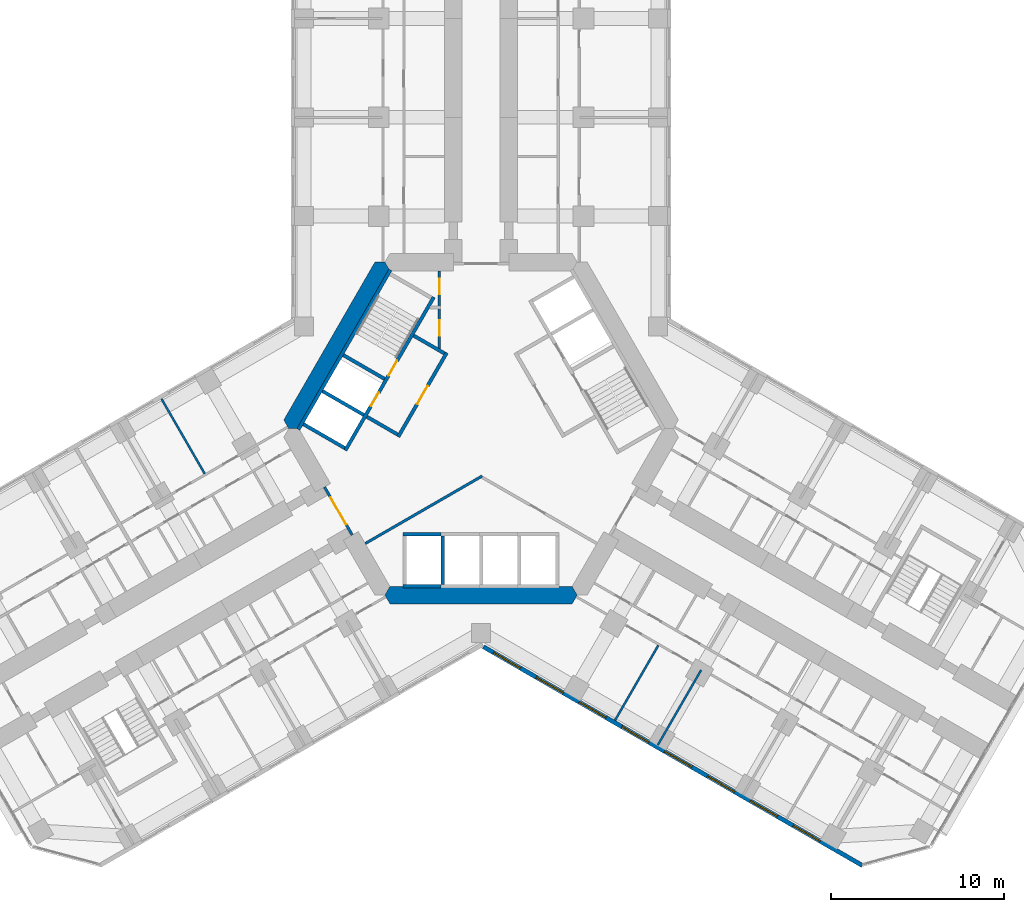
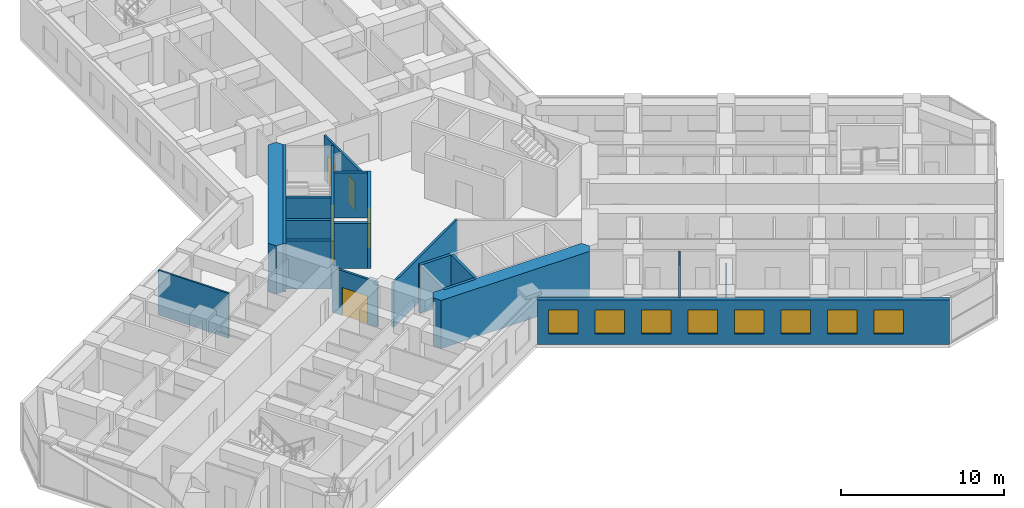
# One storey, part 11 of 18: 20 walls, 8 windows, 6 doors, 14 openings.
"""IFC4 building model written with IfcOpenShell, lengths in metres."""

from ifc_helpers import new_model, si_unit, direction, frame, frame_2d, origin, place, context, subcontext, project, spatial, polyline, rectangle, outline, extrude, material, layer, layer_set, type_object, element, fill, save


model = new_model("IFC4")

# Units and contexts
model_context = context("Model", 3, precision=1e-05, world=origin(), true_north=direction((0.0, 1.0)))
body_context = subcontext(model_context, "Body", "Model", "MODEL_VIEW")
ifc_project = project(units=[si_unit("LENGTHUNIT", "METRE"), si_unit("AREAUNIT", "SQUARE_METRE"), si_unit("VOLUMEUNIT", "CUBIC_METRE"), si_unit("PLANEANGLEUNIT", "RADIAN"), si_unit("MASSUNIT", "GRAM", prefix="KILO")], contexts=[model_context])

# Site, building, storey
site_placement = place(None, origin())
site = spatial("IfcSite", under=ifc_project, at=site_placement, CompositionType="ELEMENT")
building_placement = place(site_placement, origin())
building = spatial("IfcBuilding", under=site, at=building_placement, Name="Kosmar Iwan School Tower", CompositionType="ELEMENT")
storey_placement = place(building_placement, frame((0.0, 0.0, 25.199951171875)))
storey = spatial("IfcBuildingStorey", under=building, at=storey_placement, Name="L05", CompositionType="ELEMENT", Elevation=25.199951171875)

# Wall, openings, doors
ifc_material_1 = material(Name="Gypsum board on steel studs, fire-rated", Category="steel")
ifc_layer_1 = layer(ifc_material_1, 0.14990234375)
ifc_layer_set_1 = layer_set([ifc_layer_1], Name="Core room partition 150")
wall_type_1 = type_object("IfcWallType", Name="Core room partition 150", PredefinedType="PARTITIONING", material=ifc_layer_set_1)
wall_1_placement = place(storey_placement, frame((-2.39990234375, 9.094970703125, 0.0), z_axis=(0.0, 0.0, 1.0), x_axis=(0.0, -1.0, 0.0)))
wall_1 = element("IfcWall", 1, at=wall_1_placement, inside=storey, type_object=wall_type_1, Name="Core room partition L05-CW1", PredefinedType="PARTITIONING", context=body_context, shape_type="SweptSolid", body=[
    extrude(rectangle(XDim=4.564208984375, YDim=0.14990234375, at=frame_2d((2.2822265625, 0.0))), origin(), (0.0, 0.0, 1.0), 3.35009765625),
])
opening_1_placement = place(wall_1_placement, frame((0.455078125, 0.0, 0.0)))
opening_1 = element("IfcOpeningElement", 2, at=opening_1_placement, cuts=wall_1, Name="Opening D14", PredefinedType="OPENING", context=body_context, shape_type="SweptSolid", body=[
    extrude(rectangle(XDim=0.89990234375, YDim=2.10009765625, at=frame_2d((0.449951171875, 1.050048828125))), frame((0.0, 0.0869140625, 0.0), z_axis=(0.0, -1.0, 0.0), x_axis=(1.0, 0.0, 0.0)), (0.0, 0.0, 1.0), 0.173828125),
])
opening_2_placement = place(wall_1_placement, frame((2.85498046875, 0.0, 0.0)))
opening_2 = element("IfcOpeningElement", 3, at=opening_2_placement, cuts=wall_1, Name="Opening D14", PredefinedType="OPENING", context=body_context, shape_type="SweptSolid", body=[
    extrude(rectangle(XDim=0.89990234375, YDim=2.10009765625, at=frame_2d((0.449951171875, 1.050048828125))), frame((0.0, 0.0869140625, 0.0), z_axis=(0.0, -1.0, 0.0), x_axis=(1.0, 0.0, 0.0)), (0.0, 0.0, 1.0), 0.173828125),
])
ifc_material_2 = material(Name="Timber fire door in steel frame", Category="steel")
door_type_1 = type_object("IfcDoorType", Name="Core room door 900x2100", OperationType="SINGLE_SWING_LEFT", PredefinedType="DOOR", material=ifc_material_2)
door_1_placement = place(opening_1_placement, origin())
door_1 = element("IfcDoor", 4, at=door_1_placement, inside=storey, type_object=door_type_1, Name="Electrical riser and switch room door L05 1", OperationType="SINGLE_SWING_LEFT", OverallHeight=2.10009765625, OverallWidth=0.89990234375, PredefinedType="DOOR", context=body_context, shape_type="SweptSolid", body=[
    extrude(rectangle(XDim=0.89990234375, YDim=2.10009765625, at=frame_2d((0.449951171875, 1.050048828125))), frame((0.0, 0.02490234375, 0.0), z_axis=(0.0, -1.0, 0.0), x_axis=(1.0, 0.0, 0.0)), (0.0, 0.0, 1.0), 0.050048828125),
])
fill(opening_1, door_1)
door_2_placement = place(opening_2_placement, origin())
door_2 = element("IfcDoor", 5, at=door_2_placement, inside=storey, type_object=door_type_1, Name="Plumbing and wet riser door L05 2", OperationType="SINGLE_SWING_RIGHT", OverallHeight=2.10009765625, OverallWidth=0.89990234375, PredefinedType="DOOR", context=body_context, shape_type="SweptSolid", body=[
    extrude(rectangle(XDim=0.89990234375, YDim=2.10009765625, at=frame_2d((0.449951171875, 1.050048828125))), frame((0.0, 0.02490234375, 0.0), z_axis=(0.0, -1.0, 0.0), x_axis=(1.0, 0.0, 0.0)), (0.0, 0.0, 1.0), 0.050048828125),
])
fill(opening_2, door_2)

# Walls
wall_2_placement = place(storey_placement, frame((-6.676513671875, -6.6259765625, 0.0), z_axis=(0.0, 0.0, 1.0), x_axis=(0.866030469089, 0.499991226532, 0.0)))
element("IfcWall", 6, at=wall_2_placement, inside=storey, type_object=wall_type_1, Name="Core room partition L05-CW5", PredefinedType="PARTITIONING", context=body_context, shape_type="SweptSolid", body=[
    extrude(rectangle(XDim=7.784423828125, YDim=0.14990234375, at=frame_2d((3.89208984375, 0.0))), origin(), (0.0, 0.0, 1.0), 3.35009765625),
])
ifc_material_3 = material(Name="Concrete C50/60", Category="concrete")
ifc_layer_2 = layer(ifc_material_3, 1.0)
ifc_layer_set_2 = layer_set([ifc_layer_2], Name="Core wall 1000")
wall_type_2 = type_object("IfcWallType", Name="Core wall 1000", PredefinedType="SHEAR", material=ifc_layer_set_2)
wall_3_placement = place(storey_placement, origin())
element("IfcWall", 7, at=wall_3_placement, inside=storey, type_object=wall_type_2, Name="Core wall F150", PredefinedType="SHEAR", context=body_context, shape_type="SweptSolid", body=[
    extrude(outline(polyline([(-11.085205078125, 0.0), (-10.5078125, 0.0), (-5.25390625, 9.10009765625), (-5.54248046875, 9.60009765625), (-6.119873046875, 9.60009765625), (-11.373779296875, 0.5), (-11.085205078125, 0.0)])), origin(), (0.0, 0.0, 1.0), 3.60009765625),
])
wall_4_placement = place(storey_placement, origin())
element("IfcWall", 8, at=wall_4_placement, inside=storey, type_object=wall_type_2, Name="Core wall F270", PredefinedType="SHEAR", context=body_context, shape_type="SweptSolid", body=[
    extrude(outline(polyline([(-5.25390625, -10.10009765625), (5.25390625, -10.10009765625), (5.54248046875, -9.60009765625), (5.25390625, -9.10009765625), (-5.25390625, -9.10009765625), (-5.54248046875, -9.60009765625), (-5.25390625, -10.10009765625)])), origin(), (0.0, 0.0, 1.0), 3.60009765625),
])

# Wall, opening, door
ifc_material_4 = material(Name="Steel framed glazed screen", Category="steel")
ifc_layer_3 = layer(ifc_material_4, 0.14990234375)
ifc_layer_set_3 = layer_set([ifc_layer_3], Name="Corridor screen wall 150")
wall_type_3 = type_object("IfcWallType", Name="Corridor screen wall 150", PredefinedType="PARTITIONING", material=ifc_layer_set_3)
wall_5_placement = place(storey_placement, frame((-9.02734375, -3.3642578125, 0.0), z_axis=(0.0, 0.0, 1.0), x_axis=(0.499995408039, -0.866028054938, 0.0)))
wall_5 = element("IfcWall", 9, at=wall_5_placement, inside=storey, type_object=wall_type_3, Name="Corridor screen B L05", PredefinedType="PARTITIONING", context=body_context, shape_type="SweptSolid", body=[
    extrude(rectangle(XDim=3.2001953125, YDim=0.14990234375, at=frame_2d((1.60009765625, 0.0))), origin(), (0.0, 0.0, 1.0), 3.35009765625),
])
opening_3_placement = place(wall_5_placement, frame((0.699951171875, 0.0, 0.0)))
opening_3 = element("IfcOpeningElement", 10, at=opening_3_placement, cuts=wall_5, Name="Opening D9", PredefinedType="OPENING", context=body_context, shape_type="SweptSolid", body=[
    extrude(rectangle(XDim=1.800048828125, YDim=2.10009765625, at=frame_2d((0.89990234375, 1.050048828125))), frame((0.0, 0.0869140625, 0.0), z_axis=(0.0, -1.0, 0.0), x_axis=(1.0, 0.0, 0.0)), (0.0, 0.0, 1.0), 0.173828125),
])
ifc_material_5 = material(Name="Steel framed glazed smoke door", Category="steel")
door_type_2 = type_object("IfcDoorType", Name="Corridor smoke door pair 1800x2100", OperationType="DOUBLE_DOOR_DOUBLE_SWING", PredefinedType="DOOR", material=ifc_material_5)
door_3_placement = place(opening_3_placement, origin())
door_3 = element("IfcDoor", 11, at=door_3_placement, inside=storey, type_object=door_type_2, Name="Corridor doors B L05", OperationType="DOUBLE_DOOR_DOUBLE_SWING", OverallHeight=2.10009765625, OverallWidth=1.800048828125, PredefinedType="DOOR", context=body_context, shape_type="SweptSolid", body=[
    extrude(rectangle(XDim=1.800048828125, YDim=2.10009765625, at=frame_2d((0.89990234375, 1.050048828125))), frame((0.0, 0.02490234375, 0.0), z_axis=(0.0, -1.0, 0.0), x_axis=(1.0, 0.0, 0.0)), (0.0, 0.0, 1.0), 0.050048828125),
])
fill(opening_3, door_3)

# Walls
ifc_material_6 = material(Name="Gypsum board on steel studs", Category="steel")
ifc_layer_4 = layer(ifc_material_6, 0.1201171875)
ifc_layer_set_4 = layer_set([ifc_layer_4], Name="Dwelling partition 120")
wall_type_4 = type_object("IfcWallType", Name="Dwelling partition 120", PredefinedType="PARTITIONING", material=ifc_layer_set_4)
wall_6_placement = place(storey_placement, frame((-15.931884765625, -2.60498046875, 0.0), z_axis=(0.0, 0.0, 1.0), x_axis=(-0.500011847778, 0.866018563358, 0.0)))
element("IfcWall", 12, at=wall_6_placement, inside=storey, type_object=wall_type_4, Name="Partition L05-BR1-X1", PredefinedType="PARTITIONING", context=body_context, shape_type="SweptSolid", body=[
    extrude(rectangle(XDim=4.990234375, YDim=0.1201171875, at=frame_2d((2.4951171875, 0.0))), origin(), (0.0, 0.0, 1.0), 3.35009765625),
])
wall_7_placement = place(storey_placement, frame((10.221923828125, -12.4951171875, 0.0), z_axis=(0.0, 0.0, 1.0), x_axis=(-0.499996339024, -0.86602751744, 0.0)))
element("IfcWall", 13, at=wall_7_placement, inside=storey, type_object=wall_type_4, Name="Partition L05-CR1-X1", PredefinedType="PARTITIONING", context=body_context, shape_type="SweptSolid", body=[
    extrude(rectangle(XDim=4.98974609375, YDim=0.1201171875, at=frame_2d((2.494873046875, 0.0))), origin(), (0.0, 0.0, 1.0), 3.35009765625),
])
wall_8_placement = place(storey_placement, frame((12.690185546875, -13.919921875, 0.0), z_axis=(0.0, 0.0, 1.0), x_axis=(-0.500011847778, -0.866018563358, 0.0)))
element("IfcWall", 14, at=wall_8_placement, inside=storey, type_object=wall_type_4, Name="Partition L05-CR1-X2", PredefinedType="PARTITIONING", context=body_context, shape_type="SweptSolid", body=[
    extrude(rectangle(XDim=4.990234375, YDim=0.1201171875, at=frame_2d((2.4951171875, 0.0))), origin(), (0.0, 0.0, 1.0), 2.449951171875),
])

# Wall, openings, windows
ifc_material_7 = material(Name="Black aluminium rainscreen on insulated framing", Category="aluminium")
ifc_layer_5 = layer(ifc_material_7, 0.25)
ifc_layer_set_5 = layer_set([ifc_layer_5], Name="External wall rainscreen 250")
wall_type_5 = type_object("IfcWallType", Name="External wall rainscreen 250", PredefinedType="SOLIDWALL", material=ifc_layer_set_5)
wall_9_placement = place(storey_placement, frame((0.137939453125, -12.5791015625, 0.0), z_axis=(0.0, 0.0, 1.0), x_axis=(0.866023775649, -0.500002820003, 0.0)))
wall_9 = element("IfcWall", 15, at=wall_9_placement, inside=storey, type_object=wall_type_5, Name="External wall CR L05", PredefinedType="SOLIDWALL", context=body_context, shape_type="SweptSolid", body=[
    extrude(rectangle(XDim=25.226318359375, YDim=0.25, at=frame_2d((12.61328125, 0.0))), origin(), (0.0, 0.0, 1.0), 3.35009765625),
])
opening_4_placement = place(wall_9_placement, frame((0.666015625, 0.0, 0.800048828125)))
opening_4 = element("IfcOpeningElement", 16, at=opening_4_placement, cuts=wall_9, Name="Opening W1", PredefinedType="OPENING", context=body_context, shape_type="SweptSolid", body=[
    extrude(rectangle(XDim=1.800048828125, YDim=1.800048828125, at=frame_2d((0.89990234375, 0.89990234375))), frame((0.0, 0.136962890625, 0.0), z_axis=(0.0, -1.0, 0.0), x_axis=(1.0, 0.0, 0.0)), (0.0, 0.0, 1.0), 0.27392578125),
])
opening_5_placement = place(wall_9_placement, frame((3.51611328125, 0.0, 0.800048828125)))
opening_5 = element("IfcOpeningElement", 17, at=opening_5_placement, cuts=wall_9, Name="Opening W1", PredefinedType="OPENING", context=body_context, shape_type="SweptSolid", body=[
    extrude(rectangle(XDim=1.800048828125, YDim=1.800048828125, at=frame_2d((0.89990234375, 0.89990234375))), frame((0.0, 0.136962890625, 0.0), z_axis=(0.0, -1.0, 0.0), x_axis=(1.0, 0.0, 0.0)), (0.0, 0.0, 1.0), 0.27392578125),
])
opening_6_placement = place(wall_9_placement, frame((6.365966796875, 0.0, 0.800048828125)))
opening_6 = element("IfcOpeningElement", 18, at=opening_6_placement, cuts=wall_9, Name="Opening W1", PredefinedType="OPENING", context=body_context, shape_type="SweptSolid", body=[
    extrude(rectangle(XDim=1.800048828125, YDim=1.800048828125, at=frame_2d((0.89990234375, 0.89990234375))), frame((0.0, 0.136962890625, 0.0), z_axis=(0.0, -1.0, 0.0), x_axis=(1.0, 0.0, 0.0)), (0.0, 0.0, 1.0), 0.27392578125),
])
opening_7_placement = place(wall_9_placement, frame((9.216064453125, 0.0, 0.800048828125)))
opening_7 = element("IfcOpeningElement", 19, at=opening_7_placement, cuts=wall_9, Name="Opening W1", PredefinedType="OPENING", context=body_context, shape_type="SweptSolid", body=[
    extrude(rectangle(XDim=1.800048828125, YDim=1.800048828125, at=frame_2d((0.89990234375, 0.89990234375))), frame((0.0, 0.136962890625, 0.0), z_axis=(0.0, -1.0, 0.0), x_axis=(1.0, 0.0, 0.0)), (0.0, 0.0, 1.0), 0.27392578125),
])
opening_8_placement = place(wall_9_placement, frame((12.06591796875, 0.0, 0.800048828125)))
opening_8 = element("IfcOpeningElement", 20, at=opening_8_placement, cuts=wall_9, Name="Opening W1", PredefinedType="OPENING", context=body_context, shape_type="SweptSolid", body=[
    extrude(rectangle(XDim=1.800048828125, YDim=1.800048828125, at=frame_2d((0.89990234375, 0.89990234375))), frame((0.0, 0.136962890625, 0.0), z_axis=(0.0, -1.0, 0.0), x_axis=(1.0, 0.0, 0.0)), (0.0, 0.0, 1.0), 0.27392578125),
])
opening_9_placement = place(wall_9_placement, frame((14.916015625, 0.0, 0.800048828125)))
opening_9 = element("IfcOpeningElement", 21, at=opening_9_placement, cuts=wall_9, Name="Opening W1", PredefinedType="OPENING", context=body_context, shape_type="SweptSolid", body=[
    extrude(rectangle(XDim=1.800048828125, YDim=1.800048828125, at=frame_2d((0.89990234375, 0.89990234375))), frame((0.0, 0.136962890625, 0.0), z_axis=(0.0, -1.0, 0.0), x_axis=(1.0, 0.0, 0.0)), (0.0, 0.0, 1.0), 0.27392578125),
])
opening_10_placement = place(wall_9_placement, frame((17.76611328125, 0.0, 0.800048828125)))
opening_10 = element("IfcOpeningElement", 22, at=opening_10_placement, cuts=wall_9, Name="Opening W1", PredefinedType="OPENING", context=body_context, shape_type="SweptSolid", body=[
    extrude(rectangle(XDim=1.800048828125, YDim=1.800048828125, at=frame_2d((0.89990234375, 0.89990234375))), frame((0.0, 0.136962890625, 0.0), z_axis=(0.0, -1.0, 0.0), x_axis=(1.0, 0.0, 0.0)), (0.0, 0.0, 1.0), 0.27392578125),
])
opening_11_placement = place(wall_9_placement, frame((20.615966796875, 0.0, 0.800048828125)))
opening_11 = element("IfcOpeningElement", 23, at=opening_11_placement, cuts=wall_9, Name="Opening W1", PredefinedType="OPENING", context=body_context, shape_type="SweptSolid", body=[
    extrude(rectangle(XDim=1.800048828125, YDim=1.800048828125, at=frame_2d((0.89990234375, 0.89990234375))), frame((0.0, 0.136962890625, 0.0), z_axis=(0.0, -1.0, 0.0), x_axis=(1.0, 0.0, 0.0)), (0.0, 0.0, 1.0), 0.27392578125),
])
ifc_material_8 = material(Name="Black aluminium frame with dark triple glazing", Category="aluminium")
window_type = type_object("IfcWindowType", Name="Window 1800x1800", PartitioningType="SINGLE_PANEL", PredefinedType="WINDOW", material=ifc_material_8)
window_1_placement = place(opening_4_placement, origin())
window_1 = element("IfcWindow", 24, at=window_1_placement, inside=storey, type_object=window_type, Name="Window CR L05 -1", OverallHeight=1.800048828125, OverallWidth=1.800048828125, PartitioningType="SINGLE_PANEL", PredefinedType="WINDOW", context=body_context, shape_type="SweptSolid", body=[
    extrude(rectangle(XDim=1.800048828125, YDim=1.800048828125, at=frame_2d((0.89990234375, 0.89990234375))), frame((0.0, 0.030029296875, 0.0), z_axis=(0.0, -1.0, 0.0), x_axis=(1.0, 0.0, 0.0)), (0.0, 0.0, 1.0), 0.06005859375),
])
fill(opening_4, window_1)
window_2_placement = place(opening_5_placement, origin())
window_2 = element("IfcWindow", 25, at=window_2_placement, inside=storey, type_object=window_type, Name="Window CR L05 0", OverallHeight=1.800048828125, OverallWidth=1.800048828125, PartitioningType="SINGLE_PANEL", PredefinedType="WINDOW", context=body_context, shape_type="SweptSolid", body=[
    extrude(rectangle(XDim=1.800048828125, YDim=1.800048828125, at=frame_2d((0.89990234375, 0.89990234375))), frame((0.0, 0.030029296875, 0.0), z_axis=(0.0, -1.0, 0.0), x_axis=(1.0, 0.0, 0.0)), (0.0, 0.0, 1.0), 0.06005859375),
])
fill(opening_5, window_2)
window_3_placement = place(opening_6_placement, origin())
window_3 = element("IfcWindow", 26, at=window_3_placement, inside=storey, type_object=window_type, Name="Window CR L05 1", OverallHeight=1.800048828125, OverallWidth=1.800048828125, PartitioningType="SINGLE_PANEL", PredefinedType="WINDOW", context=body_context, shape_type="SweptSolid", body=[
    extrude(rectangle(XDim=1.800048828125, YDim=1.800048828125, at=frame_2d((0.89990234375, 0.89990234375))), frame((0.0, 0.030029296875, 0.0), z_axis=(0.0, -1.0, 0.0), x_axis=(1.0, 0.0, 0.0)), (0.0, 0.0, 1.0), 0.06005859375),
])
fill(opening_6, window_3)
window_4_placement = place(opening_7_placement, origin())
window_4 = element("IfcWindow", 27, at=window_4_placement, inside=storey, type_object=window_type, Name="Window CR L05 2", OverallHeight=1.800048828125, OverallWidth=1.800048828125, PartitioningType="SINGLE_PANEL", PredefinedType="WINDOW", context=body_context, shape_type="SweptSolid", body=[
    extrude(rectangle(XDim=1.800048828125, YDim=1.800048828125, at=frame_2d((0.89990234375, 0.89990234375))), frame((0.0, 0.030029296875, 0.0), z_axis=(0.0, -1.0, 0.0), x_axis=(1.0, 0.0, 0.0)), (0.0, 0.0, 1.0), 0.06005859375),
])
fill(opening_7, window_4)
window_5_placement = place(opening_8_placement, origin())
window_5 = element("IfcWindow", 28, at=window_5_placement, inside=storey, type_object=window_type, Name="Window CR L05 3", OverallHeight=1.800048828125, OverallWidth=1.800048828125, PartitioningType="SINGLE_PANEL", PredefinedType="WINDOW", context=body_context, shape_type="SweptSolid", body=[
    extrude(rectangle(XDim=1.800048828125, YDim=1.800048828125, at=frame_2d((0.89990234375, 0.89990234375))), frame((0.0, 0.030029296875, 0.0), z_axis=(0.0, -1.0, 0.0), x_axis=(1.0, 0.0, 0.0)), (0.0, 0.0, 1.0), 0.06005859375),
])
fill(opening_8, window_5)
window_6_placement = place(opening_9_placement, origin())
window_6 = element("IfcWindow", 29, at=window_6_placement, inside=storey, type_object=window_type, Name="Window CR L05 4", OverallHeight=1.800048828125, OverallWidth=1.800048828125, PartitioningType="SINGLE_PANEL", PredefinedType="WINDOW", context=body_context, shape_type="SweptSolid", body=[
    extrude(rectangle(XDim=1.800048828125, YDim=1.800048828125, at=frame_2d((0.89990234375, 0.89990234375))), frame((0.0, 0.030029296875, 0.0), z_axis=(0.0, -1.0, 0.0), x_axis=(1.0, 0.0, 0.0)), (0.0, 0.0, 1.0), 0.06005859375),
])
fill(opening_9, window_6)
window_7_placement = place(opening_10_placement, origin())
window_7 = element("IfcWindow", 30, at=window_7_placement, inside=storey, type_object=window_type, Name="Window CR L05 5", OverallHeight=1.800048828125, OverallWidth=1.800048828125, PartitioningType="SINGLE_PANEL", PredefinedType="WINDOW", context=body_context, shape_type="SweptSolid", body=[
    extrude(rectangle(XDim=1.800048828125, YDim=1.800048828125, at=frame_2d((0.89990234375, 0.89990234375))), frame((0.0, 0.030029296875, 0.0), z_axis=(0.0, -1.0, 0.0), x_axis=(1.0, 0.0, 0.0)), (0.0, 0.0, 1.0), 0.06005859375),
])
fill(opening_10, window_7)
window_8_placement = place(opening_11_placement, origin())
window_8 = element("IfcWindow", 31, at=window_8_placement, inside=storey, type_object=window_type, Name="Window CR L05 6", OverallHeight=1.800048828125, OverallWidth=1.800048828125, PartitioningType="SINGLE_PANEL", PredefinedType="WINDOW", context=body_context, shape_type="SweptSolid", body=[
    extrude(rectangle(XDim=1.800048828125, YDim=1.800048828125, at=frame_2d((0.89990234375, 0.89990234375))), frame((0.0, 0.030029296875, 0.0), z_axis=(0.0, -1.0, 0.0), x_axis=(1.0, 0.0, 0.0)), (0.0, 0.0, 1.0), 0.06005859375),
])
fill(opening_11, window_8)

# Wall, opening, door
ifc_material_9 = material(Name="Concrete block masonry", Category="masonry")
ifc_layer_6 = layer(ifc_material_9, 0.199951171875)
ifc_layer_set_6 = layer_set([ifc_layer_6], Name="Fire lobby wall 200")
wall_type_6 = type_object("IfcWallType", Name="Fire lobby wall 200", PredefinedType="PARTITIONING", material=ifc_layer_set_6)
wall_10_placement = place(storey_placement, frame((-1.9775390625, 4.374755859375, 0.0), z_axis=(0.0, 0.0, 1.0), x_axis=(-0.500016814911, -0.866015695474, 0.0)))
wall_10 = element("IfcWall", 32, at=wall_10_placement, inside=storey, type_object=wall_type_6, Name="Firefighting lobby wall ST2", PredefinedType="PARTITIONING", context=body_context, shape_type="SweptSolid", body=[
    extrude(rectangle(XDim=5.599853515625, YDim=0.199951171875, at=frame_2d((2.7998046875, 0.0))), origin(), (0.0, 0.0, 1.0), 3.35009765625),
])
opening_12_placement = place(wall_10_placement, frame((2.199951171875, 0.0, 0.0)))
opening_12 = element("IfcOpeningElement", 33, at=opening_12_placement, cuts=wall_10, Name="Opening D7", PredefinedType="OPENING", context=body_context, shape_type="SweptSolid", body=[
    extrude(rectangle(XDim=1.199951171875, YDim=2.10009765625, at=frame_2d((0.60009765625, 1.050048828125))), frame((0.0, 0.112060546875, 0.0), z_axis=(0.0, -1.0, 0.0), x_axis=(1.0, 0.0, 0.0)), (0.0, 0.0, 1.0), 0.223876953125),
])
ifc_material_10 = material(Name="Steel fire door", Category="steel")
door_type_3 = type_object("IfcDoorType", Name="Fire lobby door 1200x2100", OperationType="SINGLE_SWING_LEFT", PredefinedType="DOOR", material=ifc_material_10)
door_4_placement = place(opening_12_placement, origin())
door_4 = element("IfcDoor", 34, at=door_4_placement, inside=storey, type_object=door_type_3, Name="Firefighting lobby door ST2 L05", OperationType="SINGLE_SWING_LEFT", OverallHeight=2.10009765625, OverallWidth=1.199951171875, PredefinedType="DOOR", context=body_context, shape_type="SweptSolid", body=[
    extrude(rectangle(XDim=1.199951171875, YDim=2.10009765625, at=frame_2d((0.60009765625, 1.050048828125))), frame((0.0, 0.02490234375, 0.0), z_axis=(0.0, -1.0, 0.0), x_axis=(1.0, 0.0, 0.0)), (0.0, 0.0, 1.0), 0.050048828125),
])
fill(opening_12, door_4)

# Walls
wall_11_placement = place(storey_placement, frame((-2.114013671875, 4.33837890625, 0.0), z_axis=(0.0, 0.0, 1.0), x_axis=(-0.866050731258, 0.499956128963, 0.0)))
element("IfcWall", 35, at=wall_11_placement, inside=storey, type_object=wall_type_6, Name="Firefighting lobby wall ST2", PredefinedType="PARTITIONING", context=body_context, shape_type="SweptSolid", body=[
    extrude(rectangle(XDim=2.050048828125, YDim=0.199951171875, at=frame_2d((1.02490234375, 0.0))), origin(), (0.0, 0.0, 1.0), 3.35009765625),
])
wall_12_placement = place(storey_placement, frame((-4.814208984375, -0.33837890625, 0.0), z_axis=(0.0, 0.0, 1.0), x_axis=(-0.865969381856, 0.500097020274, 0.0)))
element("IfcWall", 36, at=wall_12_placement, inside=storey, type_object=wall_type_6, Name="Firefighting lobby wall ST2", PredefinedType="PARTITIONING", context=body_context, shape_type="SweptSolid", body=[
    extrude(rectangle(XDim=2.0498046875, YDim=0.199951171875, at=frame_2d((1.02490234375, 0.0))), origin(), (0.0, 0.0, 1.0), 3.35009765625),
])

# Wall, openings, doors
ifc_material_11 = material(Name="Concrete C50/60", Category="concrete")
ifc_layer_7 = layer(ifc_material_11, 0.199951171875)
ifc_layer_set_7 = layer_set([ifc_layer_7], Name="Lift shaft wall 200")
wall_type_7 = type_object("IfcWallType", Name="Lift shaft wall 200", PredefinedType="SHEAR", material=ifc_layer_set_7)
wall_13_placement = place(storey_placement, frame((-2.72607421875, 7.578369140625, 0.0), z_axis=(0.0, 0.0, 1.0), x_axis=(-0.500005610874, -0.86602216432, 0.0)))
wall_13 = element("IfcWall", 37, at=wall_13_placement, inside=storey, type_object=wall_type_7, Name="Lift and stair front wall AB", PredefinedType="SHEAR", context=body_context, shape_type="SweptSolid", body=[
    extrude(rectangle(XDim=10.2001953125, YDim=0.199951171875, at=frame_2d((5.10009765625, 0.0))), origin(), (0.0, 0.0, 1.0), 3.60009765625),
])
opening_13_placement = place(wall_13_placement, frame((6.35009765625, 0.0, 0.0)))
opening_13 = element("IfcOpeningElement", 38, at=opening_13_placement, cuts=wall_13, Name="Opening LD2", PredefinedType="OPENING", context=body_context, shape_type="SweptSolid", body=[
    extrude(rectangle(XDim=0.89990234375, YDim=2.10009765625, at=frame_2d((0.449951171875, 1.050048828125))), frame((0.0, 0.112060546875, 0.0), z_axis=(0.0, -1.0, 0.0), x_axis=(1.0, 0.0, 0.0)), (0.0, 0.0, 1.0), 0.223876953125),
])
opening_14_placement = place(wall_13_placement, frame((4.22998046875, 0.0, 0.0)))
opening_14 = element("IfcOpeningElement", 39, at=opening_14_placement, cuts=wall_13, Name="Opening D6", PredefinedType="OPENING", context=body_context, shape_type="SweptSolid", body=[
    extrude(rectangle(XDim=1.0, YDim=2.10009765625, at=frame_2d((0.5, 1.050048828125))), frame((0.0, 0.112060546875, 0.0), z_axis=(0.0, -1.0, 0.0), x_axis=(1.0, 0.0, 0.0)), (0.0, 0.0, 1.0), 0.223876953125),
])
ifc_material_12 = material(Name="Stainless steel sliding lift door", Category="steel")
door_type_4 = type_object("IfcDoorType", Name="Firefighting lift landing door 900x2100", OperationType="SLIDING_TO_LEFT", PredefinedType="DOOR", material=ifc_material_12)
door_5_placement = place(opening_13_placement, origin())
door_5 = element("IfcDoor", 40, at=door_5_placement, inside=storey, type_object=door_type_4, Name="Lift FF2 landing door L05", OperationType="SLIDING_TO_LEFT", OverallHeight=2.10009765625, OverallWidth=0.89990234375, PredefinedType="DOOR", context=body_context, shape_type="SweptSolid", body=[
    extrude(rectangle(XDim=0.89990234375, YDim=2.10009765625, at=frame_2d((0.449951171875, 1.050048828125))), frame((0.0, 0.02490234375, 0.0), z_axis=(0.0, -1.0, 0.0), x_axis=(1.0, 0.0, 0.0)), (0.0, 0.0, 1.0), 0.050048828125),
])
fill(opening_13, door_5)
ifc_material_13 = material(Name="Steel fire door", Category="steel")
door_type_5 = type_object("IfcDoorType", Name="Stair door 1000x2100", OperationType="SINGLE_SWING_LEFT", PredefinedType="DOOR", material=ifc_material_13)
door_6_placement = place(opening_14_placement, origin())
door_6 = element("IfcDoor", 41, at=door_6_placement, inside=storey, type_object=door_type_5, Name="Stair ST2 door L05", OperationType="SINGLE_SWING_LEFT", OverallHeight=2.10009765625, OverallWidth=1.0, PredefinedType="DOOR", context=body_context, shape_type="SweptSolid", body=[
    extrude(rectangle(XDim=1.0, YDim=2.10009765625, at=frame_2d((0.5, 1.050048828125))), frame((0.0, 0.02490234375, 0.0), z_axis=(0.0, -1.0, 0.0), x_axis=(1.0, 0.0, 0.0)), (0.0, 0.0, 1.0), 0.050048828125),
])
fill(opening_14, door_6)

# Walls
wall_14_placement = place(storey_placement, frame((-5.22509765625, 9.14990234375, 0.0), z_axis=(0.0, 0.0, 1.0), x_axis=(-0.499994998079, -0.866028291626, 0.0)))
element("IfcWall", 42, at=wall_14_placement, inside=storey, type_object=wall_type_7, Name="Lift and stair back wall AB", PredefinedType="SHEAR", context=body_context, shape_type="SweptSolid", body=[
    extrude(rectangle(XDim=10.623046875, YDim=0.199951171875, at=frame_2d((5.3115234375, 0.0))), origin(), (0.0, 0.0, 1.0), 3.60009765625),
])
for number, where, z_axis, x_axis, name in (
    (43, (-6.7626953125, 0.78662109375, 0.0), (0.0, 0.0, 1.0), (-0.866027397988, 0.499996545922, 0.0), "Lift shaft wall AB 1"),
    (44, (-7.862548828125, -1.118408203125, 0.0), (0.0, 0.0, 1.0), (-0.866027397988, 0.499996545922, 0.0), "Lift shaft wall AB 2"),
):
    element("IfcWall", number, at=place(storey_placement, frame(where, z_axis=z_axis, x_axis=x_axis)), inside=storey, type_object=wall_type_7, Name=name, PredefinedType="SHEAR", context=body_context, shape_type="SweptSolid", body=[
        extrude(rectangle(XDim=2.75, YDim=0.199951171875, at=frame_2d((1.375, 0.0))), origin(), (0.0, 0.0, 1.0), 3.60009765625),
    ])
for number, where, z_axis, x_axis, name in (
    (45, (-4.5, -6.10009765625, 0.0), (0.0, 0.0, 1.0), (1.0, 0.0, 0.0), "Lift and stair front wall BC"),
    (46, (-4.5, -9.10009765625, 0.0), (0.0, 0.0, 1.0), (1.0, 0.0, 0.0), "Lift and stair back wall BC"),
):
    element("IfcWall", number, at=place(storey_placement, frame(where, z_axis=z_axis, x_axis=x_axis)), inside=storey, type_object=wall_type_7, Name=name, PredefinedType="SHEAR", context=body_context, shape_type="SweptSolid", body=[
        extrude(rectangle(XDim=2.199951171875, YDim=0.199951171875, at=frame_2d((1.10009765625, 0.0))), origin(), (0.0, 0.0, 1.0), 3.60009765625),
    ])
wall_15_placement = place(storey_placement, frame((-2.199951171875, -6.199951171875, 0.0), z_axis=(0.0, 0.0, 1.0), x_axis=(0.0, -1.0, 0.0)))
element("IfcWall", 47, at=wall_15_placement, inside=storey, type_object=wall_type_7, Name="Lift shaft wall BC 1", PredefinedType="SHEAR", context=body_context, shape_type="SweptSolid", body=[
    extrude(rectangle(XDim=2.800048828125, YDim=0.199951171875, at=frame_2d((1.39990234375, 0.0))), origin(), (0.0, 0.0, 1.0), 3.60009765625),
])
ifc_material_14 = material(Name="Concrete C50/60", Category="concrete")
ifc_layer_8 = layer(ifc_material_14, 0.199951171875)
ifc_layer_set_8 = layer_set([ifc_layer_8], Name="Stair enclosure wall 200")
wall_type_8 = type_object("IfcWallType", Name="Stair enclosure wall 200", PredefinedType="SHEAR", material=ifc_layer_set_8)
wall_16_placement = place(storey_placement, frame((-5.562744140625, 2.865234375, 0.0), z_axis=(0.0, 0.0, 1.0), x_axis=(-0.866027397988, 0.499996545922, 0.0)))
element("IfcWall", 48, at=wall_16_placement, inside=storey, type_object=wall_type_8, Name="Stair ST2 wall", PredefinedType="SHEAR", context=body_context, shape_type="SweptSolid", body=[
    extrude(rectangle(XDim=2.75, YDim=0.199951171875, at=frame_2d((1.375, 0.0))), origin(), (0.0, 0.0, 1.0), 3.60009765625),
])

save(model, "model.ifc")
